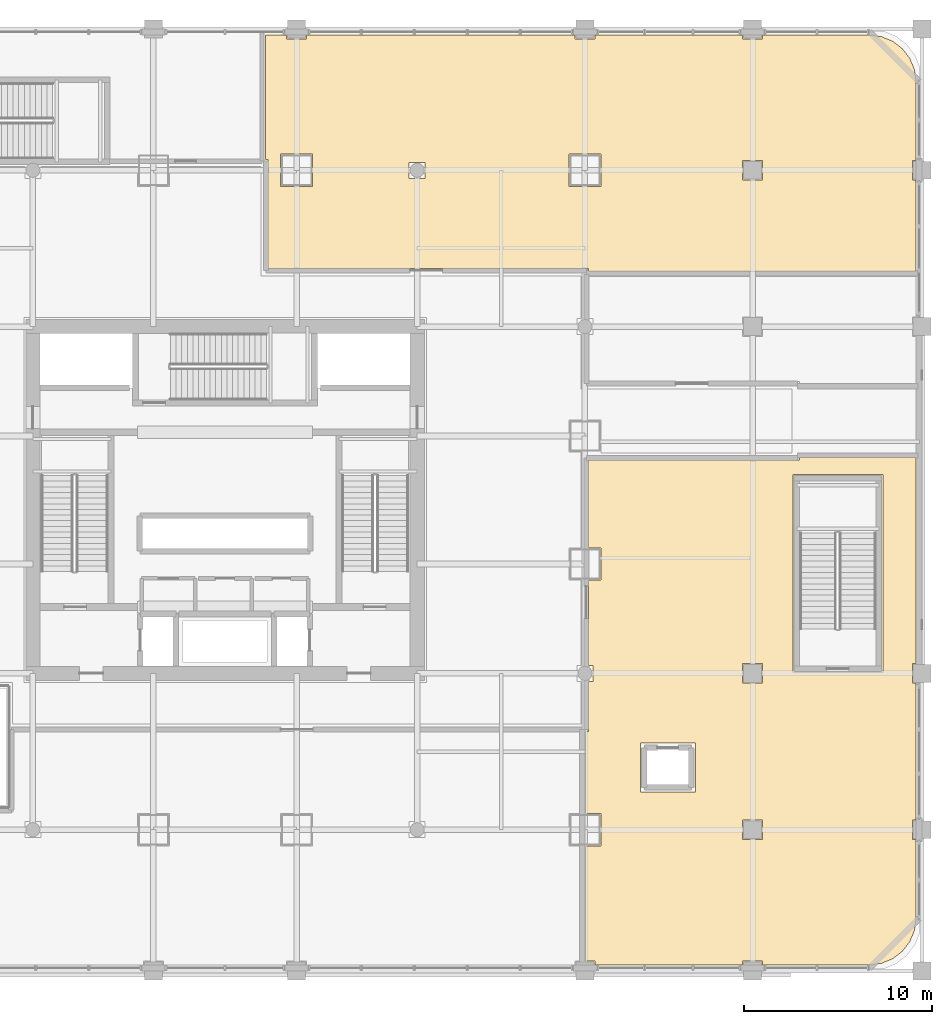
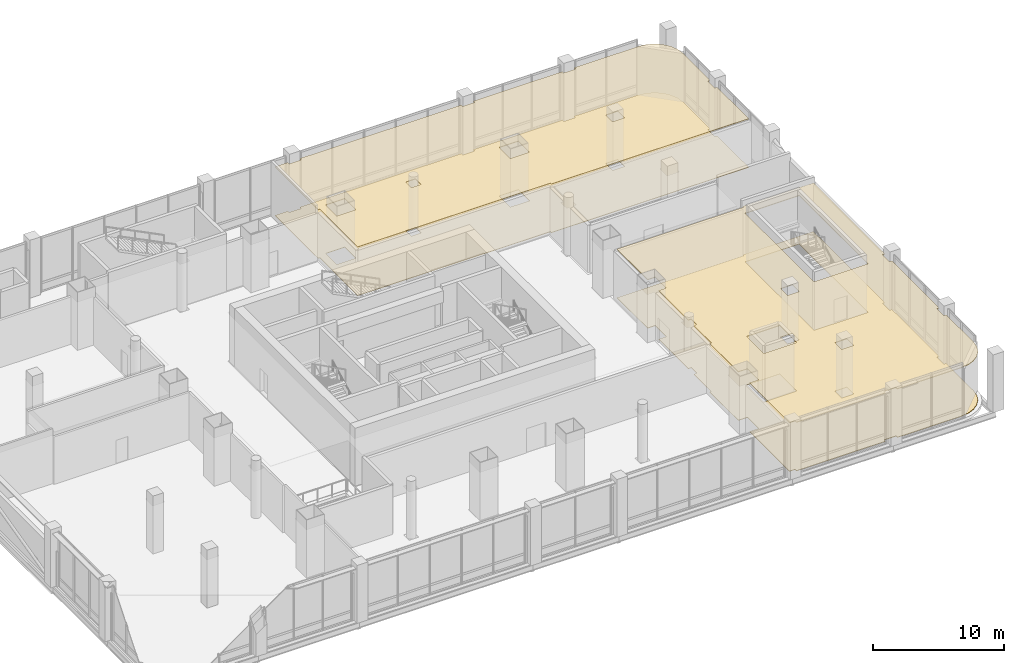
# One storey, part 38 of 39: 4 coverings.
"""IFC4 building model written with IfcOpenShell, lengths in metres."""

from ifc_helpers import new_model, si_unit, direction, frame, origin, place, context, subcontext, project, spatial, polyline, outline, extrude, material, layer, layer_set, type_object, element, save


model = new_model("IFC4")

# Units and contexts
model_context = context("Model", 3, precision=1e-05, world=origin(), true_north=direction((0.0, 1.0)))
body_context = subcontext(model_context, "Body", "Model", "MODEL_VIEW")
ifc_project = project(units=[si_unit("LENGTHUNIT", "METRE"), si_unit("AREAUNIT", "SQUARE_METRE"), si_unit("VOLUMEUNIT", "CUBIC_METRE"), si_unit("PLANEANGLEUNIT", "RADIAN"), si_unit("MASSUNIT", "GRAM", prefix="KILO")], contexts=[model_context])

# Site, building, storey
site_placement = place(None, origin())
site = spatial("IfcSite", under=ifc_project, at=site_placement, CompositionType="ELEMENT")
building_placement = place(site_placement, origin())
building = spatial("IfcBuilding", under=site, at=building_placement, Name="Punatoya Terracotta Tower", CompositionType="ELEMENT")
storey_placement = place(building_placement, frame((0.0, 0.0, 11.39990234375)))
storey = spatial("IfcBuildingStorey", under=building, at=storey_placement, Name="L02", CompositionType="ELEMENT", Elevation=11.39990234375)

# Coverings
ifc_material_1 = material(Name="Acoustic Mineral Fibre Ceiling")
ifc_layer_1 = layer(ifc_material_1, 0.06005859375)
ifc_layer_set_1 = layer_set([ifc_layer_1], Name="Acoustic Mineral Fibre Ceiling")
covering_type_1 = type_object("IfcCoveringType", Name="COV-CEIL-60", PredefinedType="CEILING", material=ifc_layer_set_1)
covering_1_placement = place(storey_placement, frame((0.0, 0.0, 4.510009765625)))
element("IfcCovering", 1, at=covering_1_placement, inside=storey, type_object=covering_type_1, Name="L02 East Terrace Cafe and Executive Dining Room Acoustic Ceiling", PredefinedType="CEILING", context=body_context, shape_type="SweptSolid", body=[
    extrude(outline(polyline([(36.47509765625, -9.72509765625), (36.47509765625, -8.675048828125), (36.679931640625, -8.675048828125), (36.679931640625, 2.260009765625), (30.47998046875, 2.260009765625), (30.47998046875, 2.1201171875), (19.280029296875, 2.1201171875), (19.280029296875, -2.550048828125), (19.949951171875, -2.550048828125), (19.949951171875, -4.25), (19.280029296875, -4.25), (19.280029296875, -8.77490234375), (19.52490234375, -8.77490234375), (19.52490234375, -9.625), (19.280029296875, -9.625), (19.280029296875, -12.280029296875), (19.139892578125, -12.280029296875), (19.139892578125, -16.64990234375), (19.949951171875, -16.64990234375), (19.949951171875, -18.35009765625), (19.139892578125, -18.35009765625), (19.139892578125, -24.47509765625), (19.625, -24.47509765625), (19.625, -24.679931640625), (27.47509765625, -24.679931640625), (27.47509765625, -24.47509765625), (28.52490234375, -24.47509765625), (28.52490234375, -24.679931640625), (34.178955078125, -24.679931640625), (34.84130859375, -24.5927734375), (35.438720703125, -24.345458984375), (35.95166015625, -23.95166015625), (36.345458984375, -23.438720703125), (36.5927734375, -22.84130859375), (36.679931640625, -22.178955078125), (36.679931640625, -18.02490234375), (36.47509765625, -18.02490234375), (36.47509765625, -16.97509765625), (36.679931640625, -16.97509765625), (36.679931640625, -9.72509765625), (36.47509765625, -9.72509765625)]), holes=[polyline([(34.909912109375, -9.159912109375), (30.139892578125, -9.159912109375), (30.139892578125, 1.360107421875), (34.909912109375, 1.360107421875), (34.909912109375, -9.159912109375)]), polyline([(28.52490234375, -16.97509765625), (28.52490234375, -18.02490234375), (27.47509765625, -18.02490234375), (27.47509765625, -16.97509765625), (28.52490234375, -16.97509765625)]), polyline([(28.52490234375, -8.675048828125), (28.52490234375, -9.72509765625), (27.47509765625, -9.72509765625), (27.47509765625, -8.675048828125), (28.52490234375, -8.675048828125)]), polyline([(24.9599609375, -12.889892578125), (24.9599609375, -15.510009765625), (22.0400390625, -15.510009765625), (22.0400390625, -12.889892578125), (24.9599609375, -12.889892578125)])]), origin(), (0.0, 0.0, 1.0), 0.06005859375),
])
covering_2_placement = place(storey_placement, frame((0.0, 0.0, 4.510009765625)))
element("IfcCovering", 2, at=covering_2_placement, inside=storey, type_object=covering_type_1, Name="L02 North Private Banquet Dining Suite Acoustic Ceiling", PredefinedType="CEILING", context=body_context, shape_type="SweptSolid", body=[
    extrude(outline(polyline([(19.625, 24.47509765625), (18.574951171875, 24.47509765625), (18.574951171875, 24.679931640625), (4.324951171875, 24.679931640625), (4.324951171875, 24.47509765625), (3.27490234375, 24.47509765625), (3.27490234375, 24.679931640625), (2.139892578125, 24.679931640625), (2.139892578125, 18.080078125), (2.280029296875, 18.080078125), (2.280029296875, 12.280029296875), (19.280029296875, 12.280029296875), (19.280029296875, 12.139892578125), (36.679931640625, 12.139892578125), (36.679931640625, 16.97509765625), (36.47509765625, 16.97509765625), (36.47509765625, 18.02490234375), (36.679931640625, 18.02490234375), (36.679931640625, 22.178955078125), (36.5927734375, 22.84130859375), (36.345458984375, 23.438720703125), (35.95166015625, 23.95166015625), (35.438720703125, 24.345458984375), (34.84130859375, 24.5927734375), (34.178955078125, 24.679931640625), (28.52490234375, 24.679931640625), (28.52490234375, 24.47509765625), (27.47509765625, 24.47509765625), (27.47509765625, 24.679931640625), (19.625, 24.679931640625), (19.625, 24.47509765625)]), holes=[polyline([(28.52490234375, 18.02490234375), (28.52490234375, 16.97509765625), (27.47509765625, 16.97509765625), (27.47509765625, 18.02490234375), (28.52490234375, 18.02490234375)]), polyline([(19.949951171875, 18.35009765625), (19.949951171875, 16.64990234375), (18.25, 16.64990234375), (18.25, 18.35009765625), (19.949951171875, 18.35009765625)]), polyline([(10.625, 17.074951171875), (9.77490234375, 17.074951171875), (9.77490234375, 17.925048828125), (10.625, 17.925048828125), (10.625, 17.074951171875)]), polyline([(4.64990234375, 16.64990234375), (2.949951171875, 16.64990234375), (2.949951171875, 18.35009765625), (4.64990234375, 18.35009765625), (4.64990234375, 16.64990234375)])]), origin(), (0.0, 0.0, 1.0), 0.06005859375),
])
ifc_material_2 = material(Name="Sandstone & Raised Access Flooring", Category="masonry")
ifc_layer_2 = layer(ifc_material_2, 0.080078125)
ifc_layer_set_2 = layer_set([ifc_layer_2], Name="Sandstone & Raised Access Flooring")
covering_type_2 = type_object("IfcCoveringType", Name="COV-FLR-80", PredefinedType="FLOORING", material=ifc_layer_set_2)
covering_3_placement = place(storey_placement, origin())
element("IfcCovering", 3, at=covering_3_placement, inside=storey, type_object=covering_type_2, Name="L02 East Terrace Cafe and Executive Dining Room Stone Floor Finish", PredefinedType="FLOORING", context=body_context, shape_type="SweptSolid", body=[
    extrude(outline(polyline([(36.47509765625, -9.72509765625), (36.47509765625, -8.675048828125), (36.679931640625, -8.675048828125), (36.679931640625, 2.260009765625), (30.47998046875, 2.260009765625), (30.47998046875, 2.1201171875), (19.280029296875, 2.1201171875), (19.280029296875, -2.550048828125), (19.949951171875, -2.550048828125), (19.949951171875, -4.25), (19.280029296875, -4.25), (19.280029296875, -8.77490234375), (19.52490234375, -8.77490234375), (19.52490234375, -9.625), (19.280029296875, -9.625), (19.280029296875, -12.280029296875), (19.139892578125, -12.280029296875), (19.139892578125, -16.64990234375), (19.949951171875, -16.64990234375), (19.949951171875, -18.35009765625), (19.139892578125, -18.35009765625), (19.139892578125, -24.47509765625), (19.625, -24.47509765625), (19.625, -24.679931640625), (27.47509765625, -24.679931640625), (27.47509765625, -24.47509765625), (28.52490234375, -24.47509765625), (28.52490234375, -24.679931640625), (34.178955078125, -24.679931640625), (34.84130859375, -24.5927734375), (35.438720703125, -24.345458984375), (35.95166015625, -23.95166015625), (36.345458984375, -23.438720703125), (36.5927734375, -22.84130859375), (36.679931640625, -22.178955078125), (36.679931640625, -18.02490234375), (36.47509765625, -18.02490234375), (36.47509765625, -16.97509765625), (36.679931640625, -16.97509765625), (36.679931640625, -9.72509765625), (36.47509765625, -9.72509765625)]), holes=[polyline([(34.909912109375, -9.159912109375), (30.139892578125, -9.159912109375), (30.139892578125, 1.360107421875), (34.909912109375, 1.360107421875), (34.909912109375, -9.159912109375)]), polyline([(28.52490234375, -16.97509765625), (28.52490234375, -18.02490234375), (27.47509765625, -18.02490234375), (27.47509765625, -16.97509765625), (28.52490234375, -16.97509765625)]), polyline([(28.52490234375, -8.675048828125), (28.52490234375, -9.72509765625), (27.47509765625, -9.72509765625), (27.47509765625, -8.675048828125), (28.52490234375, -8.675048828125)]), polyline([(24.9599609375, -12.889892578125), (24.9599609375, -15.510009765625), (22.0400390625, -15.510009765625), (22.0400390625, -12.889892578125), (24.9599609375, -12.889892578125)])]), origin(), (0.0, 0.0, 1.0), 0.0400390625),
])
covering_4_placement = place(storey_placement, origin())
element("IfcCovering", 4, at=covering_4_placement, inside=storey, type_object=covering_type_2, Name="L02 North Private Banquet Dining Suite Stone Floor Finish", PredefinedType="FLOORING", context=body_context, shape_type="SweptSolid", body=[
    extrude(outline(polyline([(19.625, 24.47509765625), (18.574951171875, 24.47509765625), (18.574951171875, 24.679931640625), (4.324951171875, 24.679931640625), (4.324951171875, 24.47509765625), (3.27490234375, 24.47509765625), (3.27490234375, 24.679931640625), (2.139892578125, 24.679931640625), (2.139892578125, 18.080078125), (2.280029296875, 18.080078125), (2.280029296875, 12.280029296875), (19.280029296875, 12.280029296875), (19.280029296875, 12.139892578125), (36.679931640625, 12.139892578125), (36.679931640625, 16.97509765625), (36.47509765625, 16.97509765625), (36.47509765625, 18.02490234375), (36.679931640625, 18.02490234375), (36.679931640625, 22.178955078125), (36.5927734375, 22.84130859375), (36.345458984375, 23.438720703125), (35.95166015625, 23.95166015625), (35.438720703125, 24.345458984375), (34.84130859375, 24.5927734375), (34.178955078125, 24.679931640625), (28.52490234375, 24.679931640625), (28.52490234375, 24.47509765625), (27.47509765625, 24.47509765625), (27.47509765625, 24.679931640625), (19.625, 24.679931640625), (19.625, 24.47509765625)]), holes=[polyline([(28.52490234375, 18.02490234375), (28.52490234375, 16.97509765625), (27.47509765625, 16.97509765625), (27.47509765625, 18.02490234375), (28.52490234375, 18.02490234375)]), polyline([(19.949951171875, 18.35009765625), (19.949951171875, 16.64990234375), (18.25, 16.64990234375), (18.25, 18.35009765625), (19.949951171875, 18.35009765625)]), polyline([(10.625, 17.074951171875), (9.77490234375, 17.074951171875), (9.77490234375, 17.925048828125), (10.625, 17.925048828125), (10.625, 17.074951171875)]), polyline([(4.64990234375, 16.64990234375), (2.949951171875, 16.64990234375), (2.949951171875, 18.35009765625), (4.64990234375, 18.35009765625), (4.64990234375, 16.64990234375)])]), origin(), (0.0, 0.0, 1.0), 0.0400390625),
])

save(model, "model.ifc")
